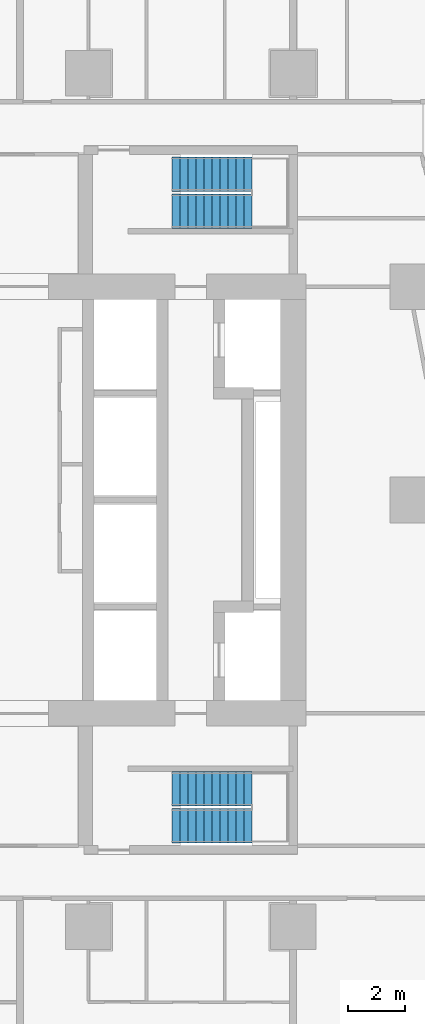
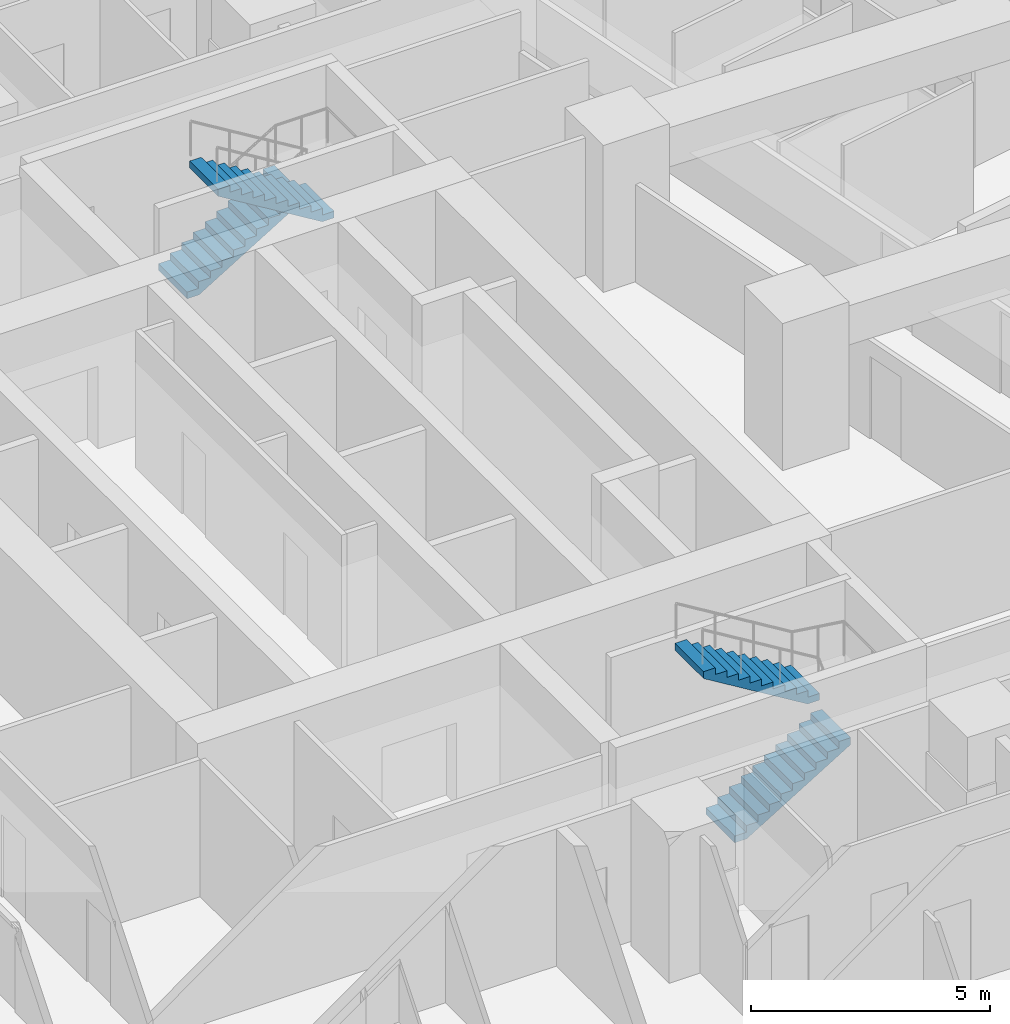
# One storey, part 14 of 17: 4 stair flights, 2 elements without a shape of their own.
"""IFC4 building model written with IfcOpenShell, lengths in metres."""

from ifc_helpers import new_model, si_unit, direction, frame, origin, place, context, subcontext, project, spatial, triangles, material, type_object, element, aggregate, save


model = new_model("IFC4")

# Units and contexts
model_context = context("Model", 3, precision=1e-05, world=origin(), true_north=direction((0.0, 1.0)))
body_context = subcontext(model_context, "Body", "Model", "MODEL_VIEW")
ifc_project = project(units=[si_unit("LENGTHUNIT", "METRE"), si_unit("AREAUNIT", "SQUARE_METRE"), si_unit("VOLUMEUNIT", "CUBIC_METRE"), si_unit("PLANEANGLEUNIT", "RADIAN"), si_unit("MASSUNIT", "GRAM", prefix="KILO")], contexts=[model_context])

# Site, building, storey
site_placement = place(None, origin())
site = spatial("IfcSite", under=ifc_project, at=site_placement, CompositionType="ELEMENT")
building_placement = place(site_placement, origin())
building = spatial("IfcBuilding", under=site, at=building_placement, Name="Sheger Commons Tower", CompositionType="ELEMENT")
storey_placement = place(building_placement, frame((0.0, 0.0, 119.14990234375)))
storey = spatial("IfcBuildingStorey", under=building, at=storey_placement, Name="L30", CompositionType="ELEMENT", Elevation=119.14990234375)

# Stair, stair flights
ifc_material_1 = material(Name="Concrete C35/45", Category="concrete")
stair_type = type_object("IfcStairType", Name="HALF-TURN STAIR 1200 RISE 3750", PredefinedType="HALF_TURN_STAIR", material=ifc_material_1)
stair_1_placement = place(storey_placement, origin())
stair_1 = element("IfcStair", 1, at=stair_1_placement, inside=storey, type_object=stair_type, Name="Stair S1 L30", PredefinedType="HALF_TURN_STAIR")
ifc_material_2 = material(Name="Concrete C35/45", Category="concrete")
stair_flight_type = type_object("IfcStairFlightType", Name="STAIR FLIGHT 1200 11 RISERS OF 170", PredefinedType="STRAIGHT", material=ifc_material_2)
stair_flight_1_placement = place(storey_placement, frame((24.550048828125, 11.050048828125, 0.0), z_axis=(0.0, 0.0, 1.0), x_axis=(1.0, 0.0, 0.0)))
stair_flight_1 = element("IfcStairFlight", 2, at=stair_flight_1_placement, type_object=stair_flight_type, Name="S1 flight 1", NumberOfRisers=11, NumberOfTreads=10, PredefinedType="STRAIGHT", RiserHeight=0.170454545, TreadLength=0.28, context=body_context, shape_type="Tessellation", body=[
    triangles([(0.0, 0.5999755859375, 0.0), (0.0, 0.5999755859375, 0.17041015625), (0.280029296875, 0.5999755859375, 0.17041015625), (0.280029296875, 0.5999755859375, 0.3408203125), (0.56005859375, 0.5999755859375, 0.3408203125), (0.56005859375, 0.5999755859375, 0.511474609375), (0.840087890625, 0.5999755859375, 0.511474609375), (0.840087890625, 0.5999755859375, 0.681884765625), (1.1201171875, 0.5999755859375, 0.681884765625), (1.1201171875, 0.5999755859375, 0.852294921875), (1.39990234375, 0.5999755859375, 0.852294921875), (1.39990234375, 0.5999755859375, 1.022705078125), (1.679931640625, 0.5999755859375, 1.022705078125), (1.679931640625, 0.5999755859375, 1.193115234375), (1.9599609375, 0.5999755859375, 1.193115234375), (1.9599609375, 0.5999755859375, 1.363525390625), (2.239990234375, 0.5999755859375, 1.363525390625), (2.239990234375, 0.5999755859375, 1.5341796875), (2.52001953125, 0.5999755859375, 1.5341796875), (2.52001953125, 0.5999755859375, 1.70458984375), (2.800048828125, 0.5999755859375, 1.70458984375), (2.800048828125, 0.5999755859375, 1.529052734375), (0.288330078125, 0.5999755859375, 0.0), (0.0, -0.5999755859375, 0.0), (0.0, -0.5999755859375, 0.17041015625), (0.280029296875, -0.5999755859375, 0.17041015625), (0.280029296875, -0.5999755859375, 0.3408203125), (0.56005859375, -0.5999755859375, 0.3408203125), (0.56005859375, -0.5999755859375, 0.511474609375), (0.840087890625, -0.5999755859375, 0.511474609375), (0.840087890625, -0.5999755859375, 0.681884765625), (1.1201171875, -0.5999755859375, 0.681884765625), (1.1201171875, -0.5999755859375, 0.852294921875), (1.39990234375, -0.5999755859375, 0.852294921875), (1.39990234375, -0.5999755859375, 1.022705078125), (1.679931640625, -0.5999755859375, 1.022705078125), (1.679931640625, -0.5999755859375, 1.193115234375), (1.9599609375, -0.5999755859375, 1.193115234375), (1.9599609375, -0.5999755859375, 1.363525390625), (2.239990234375, -0.5999755859375, 1.363525390625), (2.239990234375, -0.5999755859375, 1.5341796875), (2.52001953125, -0.5999755859375, 1.5341796875), (2.52001953125, -0.5999755859375, 1.70458984375), (2.800048828125, -0.5999755859375, 1.70458984375), (2.800048828125, -0.5999755859375, 1.529052734375), (0.288330078125, -0.5999755859375, 0.0), (0.0, 0.0, 0.085205078125), (0.1400146484375, 0.0, 0.17041015625), (0.280029296875, 0.0, 0.255615234375), (0.4200439453125, 0.0, 0.3408203125), (0.56005859375, 0.0, 0.4261474609375), (0.7000732421875, 0.0, 0.511474609375), (0.840087890625, 0.0, 0.5966796875), (0.9801025390625, 0.0, 0.681884765625), (1.1201171875, 0.0, 0.76708984375), (1.260009765625, 0.0, 0.852294921875), (1.39990234375, 0.0, 0.9375), (1.5399169921875, 0.0, 1.022705078125), (1.679931640625, 0.0, 1.10791015625), (1.8199462890625, 0.0, 1.193115234375), (1.9599609375, 0.0, 1.2783203125), (2.0999755859375, 0.0, 1.363525390625), (2.239990234375, 0.0, 1.4488525390625), (2.3800048828125, 0.0, 1.5341796875), (2.52001953125, 0.0, 1.619384765625), (2.6600341796875, 0.0, 1.70458984375), (2.800048828125, 0.0, 1.6168212890625), (1.544189453125, 0.0, 0.7645263671875), (0.1441650390625, 0.0, 0.0)], [[1, 22, 23], [24, 46, 45], [22, 20, 21], [45, 44, 43], [22, 19, 20], [45, 43, 42], [22, 18, 19], [45, 42, 41], [22, 17, 18], [45, 41, 40], [17, 15, 16], [40, 39, 38], [22, 15, 17], [45, 40, 38], [15, 13, 14], [38, 37, 36], [22, 13, 15], [45, 38, 36], [13, 11, 12], [36, 35, 34], [22, 11, 13], [45, 36, 34], [11, 9, 10], [34, 33, 32], [22, 9, 11], [45, 34, 32], [9, 7, 8], [32, 31, 30], [22, 7, 9], [45, 32, 30], [7, 5, 6], [30, 29, 28], [22, 5, 7], [45, 30, 28], [5, 3, 4], [28, 27, 26], [22, 3, 5], [45, 28, 26], [1, 3, 22], [24, 45, 26], [3, 1, 2], [26, 25, 24], [1, 47, 2], [2, 47, 25], [25, 47, 24], [24, 47, 1], [2, 48, 3], [3, 48, 26], [26, 48, 25], [25, 48, 2], [3, 49, 4], [4, 49, 27], [27, 49, 26], [26, 49, 3], [4, 50, 5], [5, 50, 28], [28, 50, 27], [27, 50, 4], [5, 51, 6], [6, 51, 29], [29, 51, 28], [28, 51, 5], [6, 52, 7], [7, 52, 30], [30, 52, 29], [29, 52, 6], [7, 53, 8], [8, 53, 31], [31, 53, 30], [30, 53, 7], [8, 54, 9], [9, 54, 32], [32, 54, 31], [31, 54, 8], [9, 55, 10], [10, 55, 33], [33, 55, 32], [32, 55, 9], [10, 56, 11], [11, 56, 34], [34, 56, 33], [33, 56, 10], [11, 57, 12], [12, 57, 35], [35, 57, 34], [34, 57, 11], [12, 58, 13], [13, 58, 36], [36, 58, 35], [35, 58, 12], [13, 59, 14], [14, 59, 37], [37, 59, 36], [36, 59, 13], [14, 60, 15], [15, 60, 38], [38, 60, 37], [37, 60, 14], [15, 61, 16], [16, 61, 39], [39, 61, 38], [38, 61, 15], [16, 62, 17], [17, 62, 40], [40, 62, 39], [39, 62, 16], [17, 63, 18], [18, 63, 41], [41, 63, 40], [40, 63, 17], [18, 64, 19], [19, 64, 42], [42, 64, 41], [41, 64, 18], [19, 65, 20], [20, 65, 43], [43, 65, 42], [42, 65, 19], [20, 66, 21], [21, 66, 44], [44, 66, 43], [43, 66, 20], [21, 67, 22], [22, 67, 45], [45, 67, 44], [44, 67, 21], [22, 68, 23], [23, 68, 46], [46, 68, 45], [45, 68, 22], [23, 69, 1], [1, 69, 24], [24, 69, 46], [46, 69, 23]], closed=True),
])
stair_flight_2_placement = place(storey_placement, frame((27.35009765625, 12.35009765625, 1.875), z_axis=(0.0, 0.0, 1.0), x_axis=(-1.0, 0.0, 0.0)))
stair_flight_2 = element("IfcStairFlight", 3, at=stair_flight_2_placement, type_object=stair_flight_type, Name="S1 flight 2", NumberOfRisers=11, NumberOfTreads=10, PredefinedType="STRAIGHT", RiserHeight=0.170454545, TreadLength=0.28, context=body_context, shape_type="Tessellation", body=[
    triangles([(0.0, 0.5999755859375, 0.0), (0.0, 0.5999755859375, 0.17041015625), (0.280029296875, 0.5999755859375, 0.17041015625), (0.280029296875, 0.5999755859375, 0.3408203125), (0.56005859375, 0.5999755859375, 0.3408203125), (0.56005859375, 0.5999755859375, 0.511474609375), (0.840087890625, 0.5999755859375, 0.511474609375), (0.840087890625, 0.5999755859375, 0.681884765625), (1.1201171875, 0.5999755859375, 0.681884765625), (1.1201171875, 0.5999755859375, 0.852294921875), (1.39990234375, 0.5999755859375, 0.852294921875), (1.39990234375, 0.5999755859375, 1.022705078125), (1.679931640625, 0.5999755859375, 1.022705078125), (1.679931640625, 0.5999755859375, 1.193115234375), (1.9599609375, 0.5999755859375, 1.193115234375), (1.9599609375, 0.5999755859375, 1.363525390625), (2.239990234375, 0.5999755859375, 1.363525390625), (2.239990234375, 0.5999755859375, 1.5341796875), (2.52001953125, 0.5999755859375, 1.5341796875), (2.52001953125, 0.5999755859375, 1.70458984375), (2.800048828125, 0.5999755859375, 1.70458984375), (2.800048828125, 0.5999755859375, 1.529052734375), (0.288330078125, 0.5999755859375, 0.0), (0.0, -0.5999755859375, 0.0), (0.0, -0.5999755859375, 0.17041015625), (0.280029296875, -0.5999755859375, 0.17041015625), (0.280029296875, -0.5999755859375, 0.3408203125), (0.56005859375, -0.5999755859375, 0.3408203125), (0.56005859375, -0.5999755859375, 0.511474609375), (0.840087890625, -0.5999755859375, 0.511474609375), (0.840087890625, -0.5999755859375, 0.681884765625), (1.1201171875, -0.5999755859375, 0.681884765625), (1.1201171875, -0.5999755859375, 0.852294921875), (1.39990234375, -0.5999755859375, 0.852294921875), (1.39990234375, -0.5999755859375, 1.022705078125), (1.679931640625, -0.5999755859375, 1.022705078125), (1.679931640625, -0.5999755859375, 1.193115234375), (1.9599609375, -0.5999755859375, 1.193115234375), (1.9599609375, -0.5999755859375, 1.363525390625), (2.239990234375, -0.5999755859375, 1.363525390625), (2.239990234375, -0.5999755859375, 1.5341796875), (2.52001953125, -0.5999755859375, 1.5341796875), (2.52001953125, -0.5999755859375, 1.70458984375), (2.800048828125, -0.5999755859375, 1.70458984375), (2.800048828125, -0.5999755859375, 1.529052734375), (0.288330078125, -0.5999755859375, 0.0), (0.0, 0.0, 0.085205078125), (0.1400146484375, 0.0, 0.17041015625), (0.280029296875, 0.0, 0.255615234375), (0.4200439453125, 0.0, 0.3408203125), (0.56005859375, 0.0, 0.4261474609375), (0.7000732421875, 0.0, 0.511474609375), (0.840087890625, 0.0, 0.5966796875), (0.9801025390625, 0.0, 0.681884765625), (1.1201171875, 0.0, 0.76708984375), (1.260009765625, 0.0, 0.852294921875), (1.39990234375, 0.0, 0.9375), (1.5399169921875, 0.0, 1.022705078125), (1.679931640625, 0.0, 1.10791015625), (1.8199462890625, 0.0, 1.193115234375), (1.9599609375, 0.0, 1.2783203125), (2.0999755859375, 0.0, 1.363525390625), (2.239990234375, 0.0, 1.4488525390625), (2.3800048828125, 0.0, 1.5341796875), (2.52001953125, 0.0, 1.619384765625), (2.6600341796875, 0.0, 1.70458984375), (2.800048828125, 0.0, 1.6168212890625), (1.544189453125, 0.0, 0.7645263671875), (0.1441650390625, 0.0, 0.0)], [[1, 22, 23], [24, 46, 45], [22, 20, 21], [45, 44, 43], [22, 19, 20], [45, 43, 42], [22, 18, 19], [45, 42, 41], [22, 17, 18], [45, 41, 40], [17, 15, 16], [40, 39, 38], [22, 15, 17], [45, 40, 38], [15, 13, 14], [38, 37, 36], [22, 13, 15], [45, 38, 36], [13, 11, 12], [36, 35, 34], [22, 11, 13], [45, 36, 34], [11, 9, 10], [34, 33, 32], [22, 9, 11], [45, 34, 32], [9, 7, 8], [32, 31, 30], [22, 7, 9], [45, 32, 30], [7, 5, 6], [30, 29, 28], [22, 5, 7], [45, 30, 28], [5, 3, 4], [28, 27, 26], [22, 3, 5], [45, 28, 26], [1, 3, 22], [24, 45, 26], [3, 1, 2], [26, 25, 24], [1, 47, 2], [2, 47, 25], [25, 47, 24], [24, 47, 1], [2, 48, 3], [3, 48, 26], [26, 48, 25], [25, 48, 2], [3, 49, 4], [4, 49, 27], [27, 49, 26], [26, 49, 3], [4, 50, 5], [5, 50, 28], [28, 50, 27], [27, 50, 4], [5, 51, 6], [6, 51, 29], [29, 51, 28], [28, 51, 5], [6, 52, 7], [7, 52, 30], [30, 52, 29], [29, 52, 6], [7, 53, 8], [8, 53, 31], [31, 53, 30], [30, 53, 7], [8, 54, 9], [9, 54, 32], [32, 54, 31], [31, 54, 8], [9, 55, 10], [10, 55, 33], [33, 55, 32], [32, 55, 9], [10, 56, 11], [11, 56, 34], [34, 56, 33], [33, 56, 10], [11, 57, 12], [12, 57, 35], [35, 57, 34], [34, 57, 11], [12, 58, 13], [13, 58, 36], [36, 58, 35], [35, 58, 12], [13, 59, 14], [14, 59, 37], [37, 59, 36], [36, 59, 13], [14, 60, 15], [15, 60, 38], [38, 60, 37], [37, 60, 14], [15, 61, 16], [16, 61, 39], [39, 61, 38], [38, 61, 15], [16, 62, 17], [17, 62, 40], [40, 62, 39], [39, 62, 16], [17, 63, 18], [18, 63, 41], [41, 63, 40], [40, 63, 17], [18, 64, 19], [19, 64, 42], [42, 64, 41], [41, 64, 18], [19, 65, 20], [20, 65, 43], [43, 65, 42], [42, 65, 19], [20, 66, 21], [21, 66, 44], [44, 66, 43], [43, 66, 20], [21, 67, 22], [22, 67, 45], [45, 67, 44], [44, 67, 21], [22, 68, 23], [23, 68, 46], [46, 68, 45], [45, 68, 22], [23, 69, 1], [1, 69, 24], [24, 69, 46], [46, 69, 23]], closed=True),
])
aggregate(stair_1, [stair_flight_1, stair_flight_2])

stair_2_placement = place(storey_placement, origin())
stair_2 = element("IfcStair", 4, at=stair_2_placement, inside=storey, type_object=stair_type, Name="Stair S2 L30", PredefinedType="HALF_TURN_STAIR")
stair_flight_3_placement = place(storey_placement, frame((24.550048828125, 33.949951171875, 0.0), z_axis=(0.0, 0.0, 1.0), x_axis=(1.0, 0.0, 0.0)))
stair_flight_3 = element("IfcStairFlight", 5, at=stair_flight_3_placement, type_object=stair_flight_type, Name="S2 flight 1", NumberOfRisers=11, NumberOfTreads=10, PredefinedType="STRAIGHT", RiserHeight=0.170454545, TreadLength=0.28, context=body_context, shape_type="Tessellation", body=[
    triangles([(0.0, 0.5999755859375, 0.0), (0.0, 0.5999755859375, 0.17041015625), (0.280029296875, 0.5999755859375, 0.17041015625), (0.280029296875, 0.5999755859375, 0.3408203125), (0.56005859375, 0.5999755859375, 0.3408203125), (0.56005859375, 0.5999755859375, 0.511474609375), (0.840087890625, 0.5999755859375, 0.511474609375), (0.840087890625, 0.5999755859375, 0.681884765625), (1.1201171875, 0.5999755859375, 0.681884765625), (1.1201171875, 0.5999755859375, 0.852294921875), (1.39990234375, 0.5999755859375, 0.852294921875), (1.39990234375, 0.5999755859375, 1.022705078125), (1.679931640625, 0.5999755859375, 1.022705078125), (1.679931640625, 0.5999755859375, 1.193115234375), (1.9599609375, 0.5999755859375, 1.193115234375), (1.9599609375, 0.5999755859375, 1.363525390625), (2.239990234375, 0.5999755859375, 1.363525390625), (2.239990234375, 0.5999755859375, 1.5341796875), (2.52001953125, 0.5999755859375, 1.5341796875), (2.52001953125, 0.5999755859375, 1.70458984375), (2.800048828125, 0.5999755859375, 1.70458984375), (2.800048828125, 0.5999755859375, 1.529052734375), (0.288330078125, 0.5999755859375, 0.0), (0.0, -0.5999755859375, 0.0), (0.0, -0.5999755859375, 0.17041015625), (0.280029296875, -0.5999755859375, 0.17041015625), (0.280029296875, -0.5999755859375, 0.3408203125), (0.56005859375, -0.5999755859375, 0.3408203125), (0.56005859375, -0.5999755859375, 0.511474609375), (0.840087890625, -0.5999755859375, 0.511474609375), (0.840087890625, -0.5999755859375, 0.681884765625), (1.1201171875, -0.5999755859375, 0.681884765625), (1.1201171875, -0.5999755859375, 0.852294921875), (1.39990234375, -0.5999755859375, 0.852294921875), (1.39990234375, -0.5999755859375, 1.022705078125), (1.679931640625, -0.5999755859375, 1.022705078125), (1.679931640625, -0.5999755859375, 1.193115234375), (1.9599609375, -0.5999755859375, 1.193115234375), (1.9599609375, -0.5999755859375, 1.363525390625), (2.239990234375, -0.5999755859375, 1.363525390625), (2.239990234375, -0.5999755859375, 1.5341796875), (2.52001953125, -0.5999755859375, 1.5341796875), (2.52001953125, -0.5999755859375, 1.70458984375), (2.800048828125, -0.5999755859375, 1.70458984375), (2.800048828125, -0.5999755859375, 1.529052734375), (0.288330078125, -0.5999755859375, 0.0), (0.0, 0.0, 0.085205078125), (0.1400146484375, 0.0, 0.17041015625), (0.280029296875, 0.0, 0.255615234375), (0.4200439453125, 0.0, 0.3408203125), (0.56005859375, 0.0, 0.4261474609375), (0.7000732421875, 0.0, 0.511474609375), (0.840087890625, 0.0, 0.5966796875), (0.9801025390625, 0.0, 0.681884765625), (1.1201171875, 0.0, 0.76708984375), (1.260009765625, 0.0, 0.852294921875), (1.39990234375, 0.0, 0.9375), (1.5399169921875, 0.0, 1.022705078125), (1.679931640625, 0.0, 1.10791015625), (1.8199462890625, 0.0, 1.193115234375), (1.9599609375, 0.0, 1.2783203125), (2.0999755859375, 0.0, 1.363525390625), (2.239990234375, 0.0, 1.4488525390625), (2.3800048828125, 0.0, 1.5341796875), (2.52001953125, 0.0, 1.619384765625), (2.6600341796875, 0.0, 1.70458984375), (2.800048828125, 0.0, 1.6168212890625), (1.544189453125, 0.0, 0.7645263671875), (0.1441650390625, 0.0, 0.0)], [[1, 22, 23], [24, 46, 45], [22, 20, 21], [45, 44, 43], [22, 19, 20], [45, 43, 42], [22, 18, 19], [45, 42, 41], [22, 17, 18], [45, 41, 40], [17, 15, 16], [40, 39, 38], [22, 15, 17], [45, 40, 38], [15, 13, 14], [38, 37, 36], [22, 13, 15], [45, 38, 36], [13, 11, 12], [36, 35, 34], [22, 11, 13], [45, 36, 34], [11, 9, 10], [34, 33, 32], [22, 9, 11], [45, 34, 32], [9, 7, 8], [32, 31, 30], [22, 7, 9], [45, 32, 30], [7, 5, 6], [30, 29, 28], [22, 5, 7], [45, 30, 28], [5, 3, 4], [28, 27, 26], [22, 3, 5], [45, 28, 26], [1, 3, 22], [24, 45, 26], [3, 1, 2], [26, 25, 24], [1, 47, 2], [2, 47, 25], [25, 47, 24], [24, 47, 1], [2, 48, 3], [3, 48, 26], [26, 48, 25], [25, 48, 2], [3, 49, 4], [4, 49, 27], [27, 49, 26], [26, 49, 3], [4, 50, 5], [5, 50, 28], [28, 50, 27], [27, 50, 4], [5, 51, 6], [6, 51, 29], [29, 51, 28], [28, 51, 5], [6, 52, 7], [7, 52, 30], [30, 52, 29], [29, 52, 6], [7, 53, 8], [8, 53, 31], [31, 53, 30], [30, 53, 7], [8, 54, 9], [9, 54, 32], [32, 54, 31], [31, 54, 8], [9, 55, 10], [10, 55, 33], [33, 55, 32], [32, 55, 9], [10, 56, 11], [11, 56, 34], [34, 56, 33], [33, 56, 10], [11, 57, 12], [12, 57, 35], [35, 57, 34], [34, 57, 11], [12, 58, 13], [13, 58, 36], [36, 58, 35], [35, 58, 12], [13, 59, 14], [14, 59, 37], [37, 59, 36], [36, 59, 13], [14, 60, 15], [15, 60, 38], [38, 60, 37], [37, 60, 14], [15, 61, 16], [16, 61, 39], [39, 61, 38], [38, 61, 15], [16, 62, 17], [17, 62, 40], [40, 62, 39], [39, 62, 16], [17, 63, 18], [18, 63, 41], [41, 63, 40], [40, 63, 17], [18, 64, 19], [19, 64, 42], [42, 64, 41], [41, 64, 18], [19, 65, 20], [20, 65, 43], [43, 65, 42], [42, 65, 19], [20, 66, 21], [21, 66, 44], [44, 66, 43], [43, 66, 20], [21, 67, 22], [22, 67, 45], [45, 67, 44], [44, 67, 21], [22, 68, 23], [23, 68, 46], [46, 68, 45], [45, 68, 22], [23, 69, 1], [1, 69, 24], [24, 69, 46], [46, 69, 23]], closed=True),
])
stair_flight_4_placement = place(storey_placement, frame((27.35009765625, 32.64990234375, 1.875), z_axis=(0.0, 0.0, 1.0), x_axis=(-1.0, 0.0, 0.0)))
stair_flight_4 = element("IfcStairFlight", 6, at=stair_flight_4_placement, type_object=stair_flight_type, Name="S2 flight 2", NumberOfRisers=11, NumberOfTreads=10, PredefinedType="STRAIGHT", RiserHeight=0.170454545, TreadLength=0.28, context=body_context, shape_type="Tessellation", body=[
    triangles([(0.0, 0.5999755859375, 0.0), (0.0, 0.5999755859375, 0.17041015625), (0.280029296875, 0.5999755859375, 0.17041015625), (0.280029296875, 0.5999755859375, 0.3408203125), (0.56005859375, 0.5999755859375, 0.3408203125), (0.56005859375, 0.5999755859375, 0.511474609375), (0.840087890625, 0.5999755859375, 0.511474609375), (0.840087890625, 0.5999755859375, 0.681884765625), (1.1201171875, 0.5999755859375, 0.681884765625), (1.1201171875, 0.5999755859375, 0.852294921875), (1.39990234375, 0.5999755859375, 0.852294921875), (1.39990234375, 0.5999755859375, 1.022705078125), (1.679931640625, 0.5999755859375, 1.022705078125), (1.679931640625, 0.5999755859375, 1.193115234375), (1.9599609375, 0.5999755859375, 1.193115234375), (1.9599609375, 0.5999755859375, 1.363525390625), (2.239990234375, 0.5999755859375, 1.363525390625), (2.239990234375, 0.5999755859375, 1.5341796875), (2.52001953125, 0.5999755859375, 1.5341796875), (2.52001953125, 0.5999755859375, 1.70458984375), (2.800048828125, 0.5999755859375, 1.70458984375), (2.800048828125, 0.5999755859375, 1.529052734375), (0.288330078125, 0.5999755859375, 0.0), (0.0, -0.5999755859375, 0.0), (0.0, -0.5999755859375, 0.17041015625), (0.280029296875, -0.5999755859375, 0.17041015625), (0.280029296875, -0.5999755859375, 0.3408203125), (0.56005859375, -0.5999755859375, 0.3408203125), (0.56005859375, -0.5999755859375, 0.511474609375), (0.840087890625, -0.5999755859375, 0.511474609375), (0.840087890625, -0.5999755859375, 0.681884765625), (1.1201171875, -0.5999755859375, 0.681884765625), (1.1201171875, -0.5999755859375, 0.852294921875), (1.39990234375, -0.5999755859375, 0.852294921875), (1.39990234375, -0.5999755859375, 1.022705078125), (1.679931640625, -0.5999755859375, 1.022705078125), (1.679931640625, -0.5999755859375, 1.193115234375), (1.9599609375, -0.5999755859375, 1.193115234375), (1.9599609375, -0.5999755859375, 1.363525390625), (2.239990234375, -0.5999755859375, 1.363525390625), (2.239990234375, -0.5999755859375, 1.5341796875), (2.52001953125, -0.5999755859375, 1.5341796875), (2.52001953125, -0.5999755859375, 1.70458984375), (2.800048828125, -0.5999755859375, 1.70458984375), (2.800048828125, -0.5999755859375, 1.529052734375), (0.288330078125, -0.5999755859375, 0.0), (0.0, 0.0, 0.085205078125), (0.1400146484375, 0.0, 0.17041015625), (0.280029296875, 0.0, 0.255615234375), (0.4200439453125, 0.0, 0.3408203125), (0.56005859375, 0.0, 0.4261474609375), (0.7000732421875, 0.0, 0.511474609375), (0.840087890625, 0.0, 0.5966796875), (0.9801025390625, 0.0, 0.681884765625), (1.1201171875, 0.0, 0.76708984375), (1.260009765625, 0.0, 0.852294921875), (1.39990234375, 0.0, 0.9375), (1.5399169921875, 0.0, 1.022705078125), (1.679931640625, 0.0, 1.10791015625), (1.8199462890625, 0.0, 1.193115234375), (1.9599609375, 0.0, 1.2783203125), (2.0999755859375, 0.0, 1.363525390625), (2.239990234375, 0.0, 1.4488525390625), (2.3800048828125, 0.0, 1.5341796875), (2.52001953125, 0.0, 1.619384765625), (2.6600341796875, 0.0, 1.70458984375), (2.800048828125, 0.0, 1.6168212890625), (1.544189453125, 0.0, 0.7645263671875), (0.1441650390625, 0.0, 0.0)], [[1, 22, 23], [24, 46, 45], [22, 20, 21], [45, 44, 43], [22, 19, 20], [45, 43, 42], [22, 18, 19], [45, 42, 41], [22, 17, 18], [45, 41, 40], [17, 15, 16], [40, 39, 38], [22, 15, 17], [45, 40, 38], [15, 13, 14], [38, 37, 36], [22, 13, 15], [45, 38, 36], [13, 11, 12], [36, 35, 34], [22, 11, 13], [45, 36, 34], [11, 9, 10], [34, 33, 32], [22, 9, 11], [45, 34, 32], [9, 7, 8], [32, 31, 30], [22, 7, 9], [45, 32, 30], [7, 5, 6], [30, 29, 28], [22, 5, 7], [45, 30, 28], [5, 3, 4], [28, 27, 26], [22, 3, 5], [45, 28, 26], [1, 3, 22], [24, 45, 26], [3, 1, 2], [26, 25, 24], [1, 47, 2], [2, 47, 25], [25, 47, 24], [24, 47, 1], [2, 48, 3], [3, 48, 26], [26, 48, 25], [25, 48, 2], [3, 49, 4], [4, 49, 27], [27, 49, 26], [26, 49, 3], [4, 50, 5], [5, 50, 28], [28, 50, 27], [27, 50, 4], [5, 51, 6], [6, 51, 29], [29, 51, 28], [28, 51, 5], [6, 52, 7], [7, 52, 30], [30, 52, 29], [29, 52, 6], [7, 53, 8], [8, 53, 31], [31, 53, 30], [30, 53, 7], [8, 54, 9], [9, 54, 32], [32, 54, 31], [31, 54, 8], [9, 55, 10], [10, 55, 33], [33, 55, 32], [32, 55, 9], [10, 56, 11], [11, 56, 34], [34, 56, 33], [33, 56, 10], [11, 57, 12], [12, 57, 35], [35, 57, 34], [34, 57, 11], [12, 58, 13], [13, 58, 36], [36, 58, 35], [35, 58, 12], [13, 59, 14], [14, 59, 37], [37, 59, 36], [36, 59, 13], [14, 60, 15], [15, 60, 38], [38, 60, 37], [37, 60, 14], [15, 61, 16], [16, 61, 39], [39, 61, 38], [38, 61, 15], [16, 62, 17], [17, 62, 40], [40, 62, 39], [39, 62, 16], [17, 63, 18], [18, 63, 41], [41, 63, 40], [40, 63, 17], [18, 64, 19], [19, 64, 42], [42, 64, 41], [41, 64, 18], [19, 65, 20], [20, 65, 43], [43, 65, 42], [42, 65, 19], [20, 66, 21], [21, 66, 44], [44, 66, 43], [43, 66, 20], [21, 67, 22], [22, 67, 45], [45, 67, 44], [44, 67, 21], [22, 68, 23], [23, 68, 46], [46, 68, 45], [45, 68, 22], [23, 69, 1], [1, 69, 24], [24, 69, 46], [46, 69, 23]], closed=True),
])
aggregate(stair_2, [stair_flight_3, stair_flight_4])

save(model, "model.ifc")
